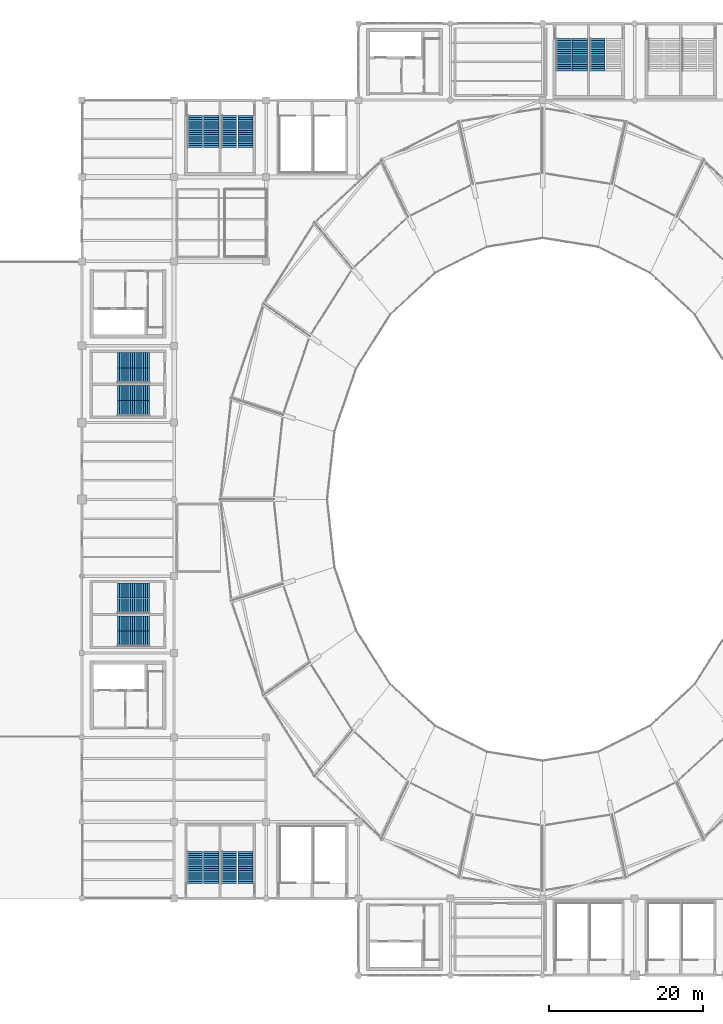
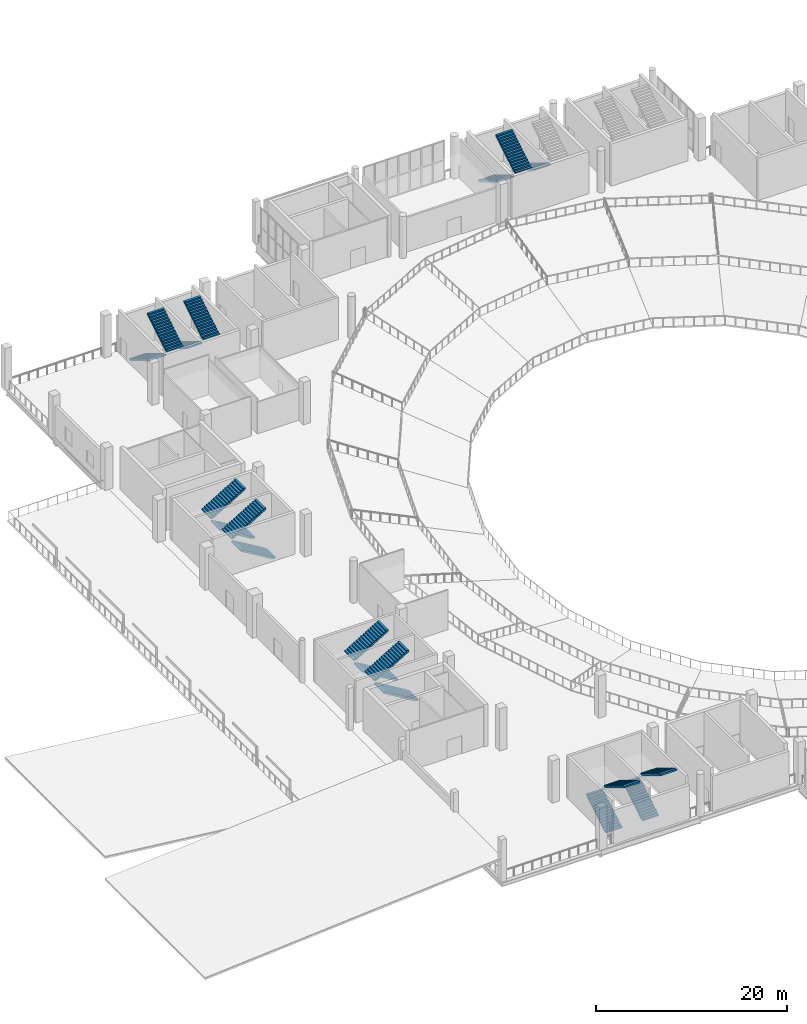
# One storey, part 58 of 74: 19 stair flights, 10 elements without a shape of their own.
"""IFC4 building model written with IfcOpenShell, lengths in metres."""

from ifc_helpers import new_model, si_unit, direction, frame, origin, place, context, subcontext, project, spatial, polyline, outline, extrude, material, layer, layer_set, type_object, element, aggregate, save


model = new_model("IFC4")

# Units and contexts
model_context = context("Model", 3, precision=1e-05, world=origin(), true_north=direction((0.0, 1.0)))
body_context = subcontext(model_context, "Body", "Model", "MODEL_VIEW")
ifc_project = project(units=[si_unit("LENGTHUNIT", "METRE"), si_unit("AREAUNIT", "SQUARE_METRE"), si_unit("VOLUMEUNIT", "CUBIC_METRE"), si_unit("PLANEANGLEUNIT", "RADIAN"), si_unit("MASSUNIT", "GRAM", prefix="KILO")], contexts=[model_context])

# Site, building, storey
site_placement = place(None, origin())
site = spatial("IfcSite", under=ifc_project, at=site_placement, CompositionType="ELEMENT")
building_placement = place(site_placement, origin())
building = spatial("IfcBuilding", under=site, at=building_placement, Name="Brinegate Civic Arena", CompositionType="ELEMENT")
storey_placement = place(building_placement, frame((0.0, 0.0, 19.199951171875)))
storey = spatial("IfcBuildingStorey", under=building, at=storey_placement, Name="L04", CompositionType="ELEMENT", Elevation=19.199951171875)

# Stair, stair flights
ifc_material = material(Name="Concrete C40/50", Category="concrete")
stair_type_1 = type_object("IfcStairType", Name="STAIR-EXIT-3700", PredefinedType="HALF_TURN_STAIR", material=ifc_material)
stair_1_placement = place(storey_placement, origin())
stair_1 = element("IfcStair", 1, at=stair_1_placement, inside=storey, type_object=stair_type_1, Name="Protected Exit Stair ST-01B (L04)", PredefinedType="HALF_TURN_STAIR")
ifc_layer_1 = layer(ifc_material, 0.179931640625, Name="Concrete C40/50")
ifc_layer_set_1 = layer_set([ifc_layer_1], Name="Concrete C40/50")
stair_flight_type_1 = type_object("IfcStairFlightType", Name="FLIGHT-EXIT-3700", PredefinedType="STRAIGHT", material=ifc_layer_set_1)
stair_flight_1_placement = place(storey_placement, frame((67.139892578125, 112.030029296875, 0.0), z_axis=(0.0, 0.0, 1.0), x_axis=(0.0, -1.0, 0.0)))
stair_flight_1 = element("IfcStairFlight", 2, at=stair_flight_1_placement, type_object=stair_flight_type_1, Name="ST-01B flight 1", NumberOfRisers=16, NumberOfTreads=15, PredefinedType="STRAIGHT", RiserHeight=0.16875, TreadLength=0.28, context=body_context, shape_type="SweptSolid", body=[
    extrude(outline(polyline([(0.0, 0.0), (0.0, 0.168701171875), (0.280029296875, 0.168701171875), (0.280029296875, 0.33740234375), (0.56005859375, 0.33740234375), (0.56005859375, 0.50634765625), (0.840087890625, 0.50634765625), (0.840087890625, 0.675048828125), (1.1201171875, 0.675048828125), (1.1201171875, 0.84375), (1.39990234375, 0.84375), (1.39990234375, 1.012451171875), (1.679931640625, 1.012451171875), (1.679931640625, 1.18115234375), (1.9599609375, 1.18115234375), (1.9599609375, 1.35009765625), (2.239990234375, 1.35009765625), (2.239990234375, 1.518798828125), (2.52001953125, 1.518798828125), (2.52001953125, 1.6875), (2.800048828125, 1.6875), (2.800048828125, 1.856201171875), (3.080078125, 1.856201171875), (3.080078125, 2.02490234375), (3.360107421875, 2.02490234375), (3.360107421875, 2.19384765625), (3.639892578125, 2.19384765625), (3.639892578125, 2.362548828125), (3.919921875, 2.362548828125), (3.919921875, 2.53125), (4.199951171875, 2.53125), (4.199951171875, 2.699951171875), (4.199951171875, 2.3212890625), (0.3486328125, 0.0), (0.0, 0.0)])), frame((0.0, 0.97998046875, 0.0), z_axis=(0.0, -1.0, 0.0), x_axis=(1.0, 0.0, 0.0)), (0.0, 0.0, 1.0), 1.9599609375),
])
stair_flight_2_placement = place(storey_placement, frame((69.280029296875, 107.830078125, 2.699951171875), z_axis=(0.0, 0.0, 1.0), x_axis=(0.0, 1.0, 0.0)))
stair_flight_2 = element("IfcStairFlight", 3, at=stair_flight_2_placement, type_object=stair_flight_type_1, Name="ST-01B flight 2", NumberOfRisers=16, NumberOfTreads=15, PredefinedType="STRAIGHT", RiserHeight=0.16875, TreadLength=0.28, context=body_context, shape_type="SweptSolid", body=[
    extrude(outline(polyline([(0.0, 0.0), (0.0, 0.168701171875), (0.280029296875, 0.168701171875), (0.280029296875, 0.33740234375), (0.56005859375, 0.33740234375), (0.56005859375, 0.50634765625), (0.840087890625, 0.50634765625), (0.840087890625, 0.675048828125), (1.1201171875, 0.675048828125), (1.1201171875, 0.84375), (1.39990234375, 0.84375), (1.39990234375, 1.012451171875), (1.679931640625, 1.012451171875), (1.679931640625, 1.18115234375), (1.9599609375, 1.18115234375), (1.9599609375, 1.35009765625), (2.239990234375, 1.35009765625), (2.239990234375, 1.518798828125), (2.52001953125, 1.518798828125), (2.52001953125, 1.6875), (2.800048828125, 1.6875), (2.800048828125, 1.856201171875), (3.080078125, 1.856201171875), (3.080078125, 2.02490234375), (3.360107421875, 2.02490234375), (3.360107421875, 2.19384765625), (3.639892578125, 2.19384765625), (3.639892578125, 2.362548828125), (3.919921875, 2.362548828125), (3.919921875, 2.53125), (4.199951171875, 2.53125), (4.199951171875, 2.699951171875), (4.199951171875, 2.3212890625), (0.3486328125, 0.0), (0.0, 0.0)])), frame((0.0, 0.97998046875, 0.0), z_axis=(0.0, -1.0, 0.0), x_axis=(1.0, 0.0, 0.0)), (0.0, 0.0, 1.0), 1.9599609375),
])
aggregate(stair_1, [stair_flight_1, stair_flight_2])

stair_2_placement = place(storey_placement, origin())
stair_2 = element("IfcStair", 4, at=stair_2_placement, inside=storey, type_object=stair_type_1, Name="Protected Exit Stair ST-02B (L04)", PredefinedType="HALF_TURN_STAIR")
stair_flight_3_placement = place(storey_placement, frame((67.139892578125, 11.969970703125, 0.0), z_axis=(0.0, 0.0, 1.0), x_axis=(0.0, 1.0, 0.0)))
stair_flight_3 = element("IfcStairFlight", 5, at=stair_flight_3_placement, type_object=stair_flight_type_1, Name="ST-02B flight 1", NumberOfRisers=16, NumberOfTreads=15, PredefinedType="STRAIGHT", RiserHeight=0.16875, TreadLength=0.28, context=body_context, shape_type="SweptSolid", body=[
    extrude(outline(polyline([(0.0, 0.0), (0.0, 0.168701171875), (0.280029296875, 0.168701171875), (0.280029296875, 0.33740234375), (0.56005859375, 0.33740234375), (0.56005859375, 0.50634765625), (0.840087890625, 0.50634765625), (0.840087890625, 0.675048828125), (1.1201171875, 0.675048828125), (1.1201171875, 0.84375), (1.39990234375, 0.84375), (1.39990234375, 1.012451171875), (1.679931640625, 1.012451171875), (1.679931640625, 1.18115234375), (1.9599609375, 1.18115234375), (1.9599609375, 1.35009765625), (2.239990234375, 1.35009765625), (2.239990234375, 1.518798828125), (2.52001953125, 1.518798828125), (2.52001953125, 1.6875), (2.800048828125, 1.6875), (2.800048828125, 1.856201171875), (3.080078125, 1.856201171875), (3.080078125, 2.02490234375), (3.360107421875, 2.02490234375), (3.360107421875, 2.19384765625), (3.639892578125, 2.19384765625), (3.639892578125, 2.362548828125), (3.919921875, 2.362548828125), (3.919921875, 2.53125), (4.199951171875, 2.53125), (4.199951171875, 2.699951171875), (4.199951171875, 2.3212890625), (0.3486328125, 0.0), (0.0, 0.0)])), frame((0.0, 0.97998046875, 0.0), z_axis=(0.0, -1.0, 0.0), x_axis=(1.0, 0.0, 0.0)), (0.0, 0.0, 1.0), 1.9599609375),
])
stair_flight_4_placement = place(storey_placement, frame((69.31005859375, 16.169921875, 2.699951171875), z_axis=(0.0, 0.0, 1.0), x_axis=(0.0, -1.0, 0.0)))
stair_flight_4 = element("IfcStairFlight", 6, at=stair_flight_4_placement, type_object=stair_flight_type_1, Name="ST-02B flight 2", NumberOfRisers=16, NumberOfTreads=15, PredefinedType="STRAIGHT", RiserHeight=0.16875, TreadLength=0.28, context=body_context, shape_type="SweptSolid", body=[
    extrude(outline(polyline([(0.0, 0.0), (0.0, 0.168701171875), (0.280029296875, 0.168701171875), (0.280029296875, 0.33740234375), (0.56005859375, 0.33740234375), (0.56005859375, 0.50634765625), (0.840087890625, 0.50634765625), (0.840087890625, 0.675048828125), (1.1201171875, 0.675048828125), (1.1201171875, 0.84375), (1.39990234375, 0.84375), (1.39990234375, 1.012451171875), (1.679931640625, 1.012451171875), (1.679931640625, 1.18115234375), (1.9599609375, 1.18115234375), (1.9599609375, 1.35009765625), (2.239990234375, 1.35009765625), (2.239990234375, 1.518798828125), (2.52001953125, 1.518798828125), (2.52001953125, 1.6875), (2.800048828125, 1.6875), (2.800048828125, 1.856201171875), (3.080078125, 1.856201171875), (3.080078125, 2.02490234375), (3.360107421875, 2.02490234375), (3.360107421875, 2.19384765625), (3.639892578125, 2.19384765625), (3.639892578125, 2.362548828125), (3.919921875, 2.362548828125), (3.919921875, 2.53125), (4.199951171875, 2.53125), (4.199951171875, 2.699951171875), (4.199951171875, 2.3212890625), (0.3486328125, 0.0), (0.0, 0.0)])), frame((0.0, 0.97998046875, 0.0), z_axis=(0.0, -1.0, 0.0), x_axis=(1.0, 0.0, 0.0)), (0.0, 0.0, 1.0), 1.9599609375),
])
aggregate(stair_2, [stair_flight_3, stair_flight_4])

stair_3_placement = place(storey_placement, origin())
stair_3 = element("IfcStair", 7, at=stair_3_placement, inside=storey, type_object=stair_type_1, Name="Protected Exit Stair ST-07B (L04)", PredefinedType="HALF_TURN_STAIR")
stair_flight_5_placement = place(storey_placement, frame((56.830078125, 78.139892578125, 0.0), z_axis=(0.0, 0.0, 1.0), x_axis=(-1.0, 0.0, 0.0)))
stair_flight_5 = element("IfcStairFlight", 8, at=stair_flight_5_placement, type_object=stair_flight_type_1, Name="ST-07B flight 1", NumberOfRisers=16, NumberOfTreads=15, PredefinedType="STRAIGHT", RiserHeight=0.16875, TreadLength=0.28, context=body_context, shape_type="SweptSolid", body=[
    extrude(outline(polyline([(0.0, 0.0), (0.0, 0.168701171875), (0.280029296875, 0.168701171875), (0.280029296875, 0.33740234375), (0.56005859375, 0.33740234375), (0.56005859375, 0.50634765625), (0.840087890625, 0.50634765625), (0.840087890625, 0.675048828125), (1.1201171875, 0.675048828125), (1.1201171875, 0.84375), (1.39990234375, 0.84375), (1.39990234375, 1.012451171875), (1.679931640625, 1.012451171875), (1.679931640625, 1.18115234375), (1.9599609375, 1.18115234375), (1.9599609375, 1.35009765625), (2.239990234375, 1.35009765625), (2.239990234375, 1.518798828125), (2.52001953125, 1.518798828125), (2.52001953125, 1.6875), (2.800048828125, 1.6875), (2.800048828125, 1.856201171875), (3.080078125, 1.856201171875), (3.080078125, 2.02490234375), (3.360107421875, 2.02490234375), (3.360107421875, 2.19384765625), (3.639892578125, 2.19384765625), (3.639892578125, 2.362548828125), (3.919921875, 2.362548828125), (3.919921875, 2.53125), (4.199951171875, 2.53125), (4.199951171875, 2.699951171875), (4.199951171875, 2.3212890625), (0.3486328125, 0.0), (0.0, 0.0)])), frame((0.0, 0.97998046875, 0.0), z_axis=(0.0, -1.0, 0.0), x_axis=(1.0, 0.0, 0.0)), (0.0, 0.0, 1.0), 1.9599609375),
])
stair_flight_6_placement = place(storey_placement, frame((52.6298828125, 80.1298828125, 2.699951171875), z_axis=(0.0, 0.0, 1.0), x_axis=(1.0, 0.0, 0.0)))
stair_flight_6 = element("IfcStairFlight", 9, at=stair_flight_6_placement, type_object=stair_flight_type_1, Name="ST-07B flight 2", NumberOfRisers=16, NumberOfTreads=15, PredefinedType="STRAIGHT", RiserHeight=0.16875, TreadLength=0.28, context=body_context, shape_type="SweptSolid", body=[
    extrude(outline(polyline([(0.0, 0.0), (0.0, 0.168701171875), (0.280029296875, 0.168701171875), (0.280029296875, 0.33740234375), (0.56005859375, 0.33740234375), (0.56005859375, 0.50634765625), (0.840087890625, 0.50634765625), (0.840087890625, 0.675048828125), (1.1201171875, 0.675048828125), (1.1201171875, 0.84375), (1.39990234375, 0.84375), (1.39990234375, 1.012451171875), (1.679931640625, 1.012451171875), (1.679931640625, 1.18115234375), (1.9599609375, 1.18115234375), (1.9599609375, 1.35009765625), (2.239990234375, 1.35009765625), (2.239990234375, 1.518798828125), (2.52001953125, 1.518798828125), (2.52001953125, 1.6875), (2.800048828125, 1.6875), (2.800048828125, 1.856201171875), (3.080078125, 1.856201171875), (3.080078125, 2.02490234375), (3.360107421875, 2.02490234375), (3.360107421875, 2.19384765625), (3.639892578125, 2.19384765625), (3.639892578125, 2.362548828125), (3.919921875, 2.362548828125), (3.919921875, 2.53125), (4.199951171875, 2.53125), (4.199951171875, 2.699951171875), (4.199951171875, 2.3212890625), (0.3486328125, 0.0), (0.0, 0.0)])), frame((0.0, 0.97998046875, 0.0), z_axis=(0.0, -1.0, 0.0), x_axis=(1.0, 0.0, 0.0)), (0.0, 0.0, 1.0), 1.9599609375),
])
aggregate(stair_3, [stair_flight_5, stair_flight_6])

stair_4_placement = place(storey_placement, origin())
stair_4 = element("IfcStair", 10, at=stair_4_placement, inside=storey, type_object=stair_type_1, Name="Protected Exit Stair ST-08B (L04)", PredefinedType="HALF_TURN_STAIR")
stair_flight_7_placement = place(storey_placement, frame((56.830078125, 48.139892578125, 0.0), z_axis=(0.0, 0.0, 1.0), x_axis=(-1.0, 0.0, 0.0)))
stair_flight_7 = element("IfcStairFlight", 11, at=stair_flight_7_placement, type_object=stair_flight_type_1, Name="ST-08B flight 1", NumberOfRisers=16, NumberOfTreads=15, PredefinedType="STRAIGHT", RiserHeight=0.16875, TreadLength=0.28, context=body_context, shape_type="SweptSolid", body=[
    extrude(outline(polyline([(0.0, 0.0), (0.0, 0.168701171875), (0.280029296875, 0.168701171875), (0.280029296875, 0.33740234375), (0.56005859375, 0.33740234375), (0.56005859375, 0.50634765625), (0.840087890625, 0.50634765625), (0.840087890625, 0.675048828125), (1.1201171875, 0.675048828125), (1.1201171875, 0.84375), (1.39990234375, 0.84375), (1.39990234375, 1.012451171875), (1.679931640625, 1.012451171875), (1.679931640625, 1.18115234375), (1.9599609375, 1.18115234375), (1.9599609375, 1.35009765625), (2.239990234375, 1.35009765625), (2.239990234375, 1.518798828125), (2.52001953125, 1.518798828125), (2.52001953125, 1.6875), (2.800048828125, 1.6875), (2.800048828125, 1.856201171875), (3.080078125, 1.856201171875), (3.080078125, 2.02490234375), (3.360107421875, 2.02490234375), (3.360107421875, 2.19384765625), (3.639892578125, 2.19384765625), (3.639892578125, 2.362548828125), (3.919921875, 2.362548828125), (3.919921875, 2.53125), (4.199951171875, 2.53125), (4.199951171875, 2.699951171875), (4.199951171875, 2.3212890625), (0.3486328125, 0.0), (0.0, 0.0)])), frame((0.0, 0.97998046875, 0.0), z_axis=(0.0, -1.0, 0.0), x_axis=(1.0, 0.0, 0.0)), (0.0, 0.0, 1.0), 1.9599609375),
])
stair_flight_8_placement = place(storey_placement, frame((52.6298828125, 50.159912109375, 2.699951171875), z_axis=(0.0, 0.0, 1.0), x_axis=(1.0, 0.0, 0.0)))
stair_flight_8 = element("IfcStairFlight", 12, at=stair_flight_8_placement, type_object=stair_flight_type_1, Name="ST-08B flight 2", NumberOfRisers=16, NumberOfTreads=15, PredefinedType="STRAIGHT", RiserHeight=0.16875, TreadLength=0.28, context=body_context, shape_type="SweptSolid", body=[
    extrude(outline(polyline([(0.0, 0.0), (0.0, 0.168701171875), (0.280029296875, 0.168701171875), (0.280029296875, 0.33740234375), (0.56005859375, 0.33740234375), (0.56005859375, 0.50634765625), (0.840087890625, 0.50634765625), (0.840087890625, 0.675048828125), (1.1201171875, 0.675048828125), (1.1201171875, 0.84375), (1.39990234375, 0.84375), (1.39990234375, 1.012451171875), (1.679931640625, 1.012451171875), (1.679931640625, 1.18115234375), (1.9599609375, 1.18115234375), (1.9599609375, 1.35009765625), (2.239990234375, 1.35009765625), (2.239990234375, 1.518798828125), (2.52001953125, 1.518798828125), (2.52001953125, 1.6875), (2.800048828125, 1.6875), (2.800048828125, 1.856201171875), (3.080078125, 1.856201171875), (3.080078125, 2.02490234375), (3.360107421875, 2.02490234375), (3.360107421875, 2.19384765625), (3.639892578125, 2.19384765625), (3.639892578125, 2.362548828125), (3.919921875, 2.362548828125), (3.919921875, 2.53125), (4.199951171875, 2.53125), (4.199951171875, 2.699951171875), (4.199951171875, 2.3212890625), (0.3486328125, 0.0), (0.0, 0.0)])), frame((0.0, 0.97998046875, 0.0), z_axis=(0.0, -1.0, 0.0), x_axis=(1.0, 0.0, 0.0)), (0.0, 0.0, 1.0), 1.9599609375),
])
aggregate(stair_4, [stair_flight_7, stair_flight_8])

# Stair, stair flight
stair_5_placement = place(storey_placement, origin())
stair_5 = element("IfcStair", 13, at=stair_5_placement, inside=storey, type_object=stair_type_1, Name="Protected Exit Stair ST-15B (L04)", PredefinedType="HALF_TURN_STAIR")
stair_flight_9_placement = place(storey_placement, frame((115.139892578125, 122.030029296875, 0.0), z_axis=(0.0, 0.0, 1.0), x_axis=(0.0, -1.0, 0.0)))
stair_flight_9 = element("IfcStairFlight", 14, at=stair_flight_9_placement, type_object=stair_flight_type_1, Name="ST-15B flight 1", NumberOfRisers=16, NumberOfTreads=15, PredefinedType="STRAIGHT", RiserHeight=0.16875, TreadLength=0.28, context=body_context, shape_type="SweptSolid", body=[
    extrude(outline(polyline([(0.0, 0.0), (0.0, 0.168701171875), (0.280029296875, 0.168701171875), (0.280029296875, 0.33740234375), (0.56005859375, 0.33740234375), (0.56005859375, 0.50634765625), (0.840087890625, 0.50634765625), (0.840087890625, 0.675048828125), (1.1201171875, 0.675048828125), (1.1201171875, 0.84375), (1.39990234375, 0.84375), (1.39990234375, 1.012451171875), (1.679931640625, 1.012451171875), (1.679931640625, 1.18115234375), (1.9599609375, 1.18115234375), (1.9599609375, 1.35009765625), (2.239990234375, 1.35009765625), (2.239990234375, 1.518798828125), (2.52001953125, 1.518798828125), (2.52001953125, 1.6875), (2.800048828125, 1.6875), (2.800048828125, 1.856201171875), (3.080078125, 1.856201171875), (3.080078125, 2.02490234375), (3.360107421875, 2.02490234375), (3.360107421875, 2.19384765625), (3.639892578125, 2.19384765625), (3.639892578125, 2.362548828125), (3.919921875, 2.362548828125), (3.919921875, 2.53125), (4.199951171875, 2.53125), (4.199951171875, 2.699951171875), (4.199951171875, 2.3212890625), (0.3486328125, 0.0), (0.0, 0.0)])), frame((0.0, 0.97998046875, 0.0), z_axis=(0.0, -1.0, 0.0), x_axis=(1.0, 0.0, 0.0)), (0.0, 0.0, 1.0), 1.9599609375),
])
aggregate(stair_5, [stair_flight_9])

# Stair, stair flights
stair_type_2 = type_object("IfcStairType", Name="STAIR-EXIT-3850", PredefinedType="HALF_TURN_STAIR", material=ifc_material)
stair_6_placement = place(storey_placement, origin())
stair_6 = element("IfcStair", 15, at=stair_6_placement, inside=storey, type_object=stair_type_2, Name="Protected Exit Stair ST-01A (L04)", PredefinedType="HALF_TURN_STAIR")
ifc_layer_2 = layer(ifc_material, 0.179931640625, Name="Concrete C40/50")
ifc_layer_set_2 = layer_set([ifc_layer_2], Name="Concrete C40/50")
stair_flight_type_2 = type_object("IfcStairFlightType", Name="FLIGHT-EXIT-3850", PredefinedType="STRAIGHT", material=ifc_layer_set_2)
stair_flight_10_placement = place(storey_placement, frame((62.72998046875, 112.030029296875, 0.0), z_axis=(0.0, 0.0, 1.0), x_axis=(0.0, -1.0, 0.0)))
stair_flight_10 = element("IfcStairFlight", 16, at=stair_flight_10_placement, type_object=stair_flight_type_2, Name="ST-01A flight 1", NumberOfRisers=16, NumberOfTreads=15, PredefinedType="STRAIGHT", RiserHeight=0.16875, TreadLength=0.28, context=body_context, shape_type="SweptSolid", body=[
    extrude(outline(polyline([(0.0, 0.0), (0.0, 0.168701171875), (0.280029296875, 0.168701171875), (0.280029296875, 0.33740234375), (0.56005859375, 0.33740234375), (0.56005859375, 0.50634765625), (0.840087890625, 0.50634765625), (0.840087890625, 0.675048828125), (1.1201171875, 0.675048828125), (1.1201171875, 0.84375), (1.39990234375, 0.84375), (1.39990234375, 1.012451171875), (1.679931640625, 1.012451171875), (1.679931640625, 1.18115234375), (1.9599609375, 1.18115234375), (1.9599609375, 1.35009765625), (2.239990234375, 1.35009765625), (2.239990234375, 1.518798828125), (2.52001953125, 1.518798828125), (2.52001953125, 1.6875), (2.800048828125, 1.6875), (2.800048828125, 1.856201171875), (3.080078125, 1.856201171875), (3.080078125, 2.02490234375), (3.360107421875, 2.02490234375), (3.360107421875, 2.19384765625), (3.639892578125, 2.19384765625), (3.639892578125, 2.362548828125), (3.919921875, 2.362548828125), (3.919921875, 2.53125), (4.199951171875, 2.53125), (4.199951171875, 2.699951171875), (4.199951171875, 2.3212890625), (0.3486328125, 0.0), (0.0, 0.0)])), frame((0.0, 0.989990234375, 0.0), z_axis=(0.0, -1.0, 0.0), x_axis=(1.0, 0.0, 0.0)), (0.0, 0.0, 1.0), 1.97998046875),
])
stair_flight_11_placement = place(storey_placement, frame((64.85009765625, 107.830078125, 2.699951171875), z_axis=(0.0, 0.0, 1.0), x_axis=(0.0, 1.0, 0.0)))
stair_flight_11 = element("IfcStairFlight", 17, at=stair_flight_11_placement, type_object=stair_flight_type_2, Name="ST-01A flight 2", NumberOfRisers=16, NumberOfTreads=15, PredefinedType="STRAIGHT", RiserHeight=0.16875, TreadLength=0.28, context=body_context, shape_type="SweptSolid", body=[
    extrude(outline(polyline([(0.0, 0.0), (0.0, 0.168701171875), (0.280029296875, 0.168701171875), (0.280029296875, 0.33740234375), (0.56005859375, 0.33740234375), (0.56005859375, 0.50634765625), (0.840087890625, 0.50634765625), (0.840087890625, 0.675048828125), (1.1201171875, 0.675048828125), (1.1201171875, 0.84375), (1.39990234375, 0.84375), (1.39990234375, 1.012451171875), (1.679931640625, 1.012451171875), (1.679931640625, 1.18115234375), (1.9599609375, 1.18115234375), (1.9599609375, 1.35009765625), (2.239990234375, 1.35009765625), (2.239990234375, 1.518798828125), (2.52001953125, 1.518798828125), (2.52001953125, 1.6875), (2.800048828125, 1.6875), (2.800048828125, 1.856201171875), (3.080078125, 1.856201171875), (3.080078125, 2.02490234375), (3.360107421875, 2.02490234375), (3.360107421875, 2.19384765625), (3.639892578125, 2.19384765625), (3.639892578125, 2.362548828125), (3.919921875, 2.362548828125), (3.919921875, 2.53125), (4.199951171875, 2.53125), (4.199951171875, 2.699951171875), (4.199951171875, 2.3212890625), (0.3486328125, 0.0), (0.0, 0.0)])), frame((0.0, 0.989990234375, 0.0), z_axis=(0.0, -1.0, 0.0), x_axis=(1.0, 0.0, 0.0)), (0.0, 0.0, 1.0), 1.97998046875),
])
aggregate(stair_6, [stair_flight_10, stair_flight_11])

stair_7_placement = place(storey_placement, origin())
stair_7 = element("IfcStair", 18, at=stair_7_placement, inside=storey, type_object=stair_type_2, Name="Protected Exit Stair ST-02A (L04)", PredefinedType="HALF_TURN_STAIR")
stair_flight_12_placement = place(storey_placement, frame((62.699951171875, 11.969970703125, 0.0), z_axis=(0.0, 0.0, 1.0), x_axis=(0.0, 1.0, 0.0)))
stair_flight_12 = element("IfcStairFlight", 19, at=stair_flight_12_placement, type_object=stair_flight_type_2, Name="ST-02A flight 1", NumberOfRisers=16, NumberOfTreads=15, PredefinedType="STRAIGHT", RiserHeight=0.16875, TreadLength=0.28, context=body_context, shape_type="SweptSolid", body=[
    extrude(outline(polyline([(0.0, 0.0), (0.0, 0.168701171875), (0.280029296875, 0.168701171875), (0.280029296875, 0.33740234375), (0.56005859375, 0.33740234375), (0.56005859375, 0.50634765625), (0.840087890625, 0.50634765625), (0.840087890625, 0.675048828125), (1.1201171875, 0.675048828125), (1.1201171875, 0.84375), (1.39990234375, 0.84375), (1.39990234375, 1.012451171875), (1.679931640625, 1.012451171875), (1.679931640625, 1.18115234375), (1.9599609375, 1.18115234375), (1.9599609375, 1.35009765625), (2.239990234375, 1.35009765625), (2.239990234375, 1.518798828125), (2.52001953125, 1.518798828125), (2.52001953125, 1.6875), (2.800048828125, 1.6875), (2.800048828125, 1.856201171875), (3.080078125, 1.856201171875), (3.080078125, 2.02490234375), (3.360107421875, 2.02490234375), (3.360107421875, 2.19384765625), (3.639892578125, 2.19384765625), (3.639892578125, 2.362548828125), (3.919921875, 2.362548828125), (3.919921875, 2.53125), (4.199951171875, 2.53125), (4.199951171875, 2.699951171875), (4.199951171875, 2.3212890625), (0.3486328125, 0.0), (0.0, 0.0)])), frame((0.0, 0.989990234375, 0.0), z_axis=(0.0, -1.0, 0.0), x_axis=(1.0, 0.0, 0.0)), (0.0, 0.0, 1.0), 1.97998046875),
])
stair_flight_13_placement = place(storey_placement, frame((64.85009765625, 16.169921875, 2.699951171875), z_axis=(0.0, 0.0, 1.0), x_axis=(0.0, -1.0, 0.0)))
stair_flight_13 = element("IfcStairFlight", 20, at=stair_flight_13_placement, type_object=stair_flight_type_2, Name="ST-02A flight 2", NumberOfRisers=16, NumberOfTreads=15, PredefinedType="STRAIGHT", RiserHeight=0.16875, TreadLength=0.28, context=body_context, shape_type="SweptSolid", body=[
    extrude(outline(polyline([(0.0, 0.0), (0.0, 0.168701171875), (0.280029296875, 0.168701171875), (0.280029296875, 0.33740234375), (0.56005859375, 0.33740234375), (0.56005859375, 0.50634765625), (0.840087890625, 0.50634765625), (0.840087890625, 0.675048828125), (1.1201171875, 0.675048828125), (1.1201171875, 0.84375), (1.39990234375, 0.84375), (1.39990234375, 1.012451171875), (1.679931640625, 1.012451171875), (1.679931640625, 1.18115234375), (1.9599609375, 1.18115234375), (1.9599609375, 1.35009765625), (2.239990234375, 1.35009765625), (2.239990234375, 1.518798828125), (2.52001953125, 1.518798828125), (2.52001953125, 1.6875), (2.800048828125, 1.6875), (2.800048828125, 1.856201171875), (3.080078125, 1.856201171875), (3.080078125, 2.02490234375), (3.360107421875, 2.02490234375), (3.360107421875, 2.19384765625), (3.639892578125, 2.19384765625), (3.639892578125, 2.362548828125), (3.919921875, 2.362548828125), (3.919921875, 2.53125), (4.199951171875, 2.53125), (4.199951171875, 2.699951171875), (4.199951171875, 2.3212890625), (0.3486328125, 0.0), (0.0, 0.0)])), frame((0.0, 0.989990234375, 0.0), z_axis=(0.0, -1.0, 0.0), x_axis=(1.0, 0.0, 0.0)), (0.0, 0.0, 1.0), 1.97998046875),
])
aggregate(stair_7, [stair_flight_12, stair_flight_13])

stair_8_placement = place(storey_placement, origin())
stair_8 = element("IfcStair", 21, at=stair_8_placement, inside=storey, type_object=stair_type_2, Name="Protected Exit Stair ST-07A (L04)", PredefinedType="HALF_TURN_STAIR")
stair_flight_14_placement = place(storey_placement, frame((56.830078125, 73.8779296875, 0.0), z_axis=(0.0, 0.0, 1.0), x_axis=(-1.0, 0.0, 0.0)))
stair_flight_14 = element("IfcStairFlight", 22, at=stair_flight_14_placement, type_object=stair_flight_type_2, Name="ST-07A flight 1", NumberOfRisers=16, NumberOfTreads=15, PredefinedType="STRAIGHT", RiserHeight=0.16875, TreadLength=0.28, context=body_context, shape_type="SweptSolid", body=[
    extrude(outline(polyline([(0.0, 0.0), (0.0, 0.168701171875), (0.280029296875, 0.168701171875), (0.280029296875, 0.33740234375), (0.56005859375, 0.33740234375), (0.56005859375, 0.50634765625), (0.840087890625, 0.50634765625), (0.840087890625, 0.675048828125), (1.1201171875, 0.675048828125), (1.1201171875, 0.84375), (1.39990234375, 0.84375), (1.39990234375, 1.012451171875), (1.679931640625, 1.012451171875), (1.679931640625, 1.18115234375), (1.9599609375, 1.18115234375), (1.9599609375, 1.35009765625), (2.239990234375, 1.35009765625), (2.239990234375, 1.518798828125), (2.52001953125, 1.518798828125), (2.52001953125, 1.6875), (2.800048828125, 1.6875), (2.800048828125, 1.856201171875), (3.080078125, 1.856201171875), (3.080078125, 2.02490234375), (3.360107421875, 2.02490234375), (3.360107421875, 2.19384765625), (3.639892578125, 2.19384765625), (3.639892578125, 2.362548828125), (3.919921875, 2.362548828125), (3.919921875, 2.53125), (4.199951171875, 2.53125), (4.199951171875, 2.699951171875), (4.199951171875, 2.3212890625), (0.3486328125, 0.0), (0.0, 0.0)])), frame((0.0, 0.987548828125, 0.0), z_axis=(0.0, -1.0, 0.0), x_axis=(1.0, 0.0, 0.0)), (0.0, 0.0, 1.0), 1.97509765625),
])
stair_flight_15_placement = place(storey_placement, frame((52.6298828125, 75.85302734375, 2.699951171875), z_axis=(0.0, 0.0, 1.0), x_axis=(1.0, 0.0, 0.0)))
stair_flight_15 = element("IfcStairFlight", 23, at=stair_flight_15_placement, type_object=stair_flight_type_2, Name="ST-07A flight 2", NumberOfRisers=16, NumberOfTreads=15, PredefinedType="STRAIGHT", RiserHeight=0.16875, TreadLength=0.28, context=body_context, shape_type="SweptSolid", body=[
    extrude(outline(polyline([(0.0, 0.0), (0.0, 0.168701171875), (0.280029296875, 0.168701171875), (0.280029296875, 0.33740234375), (0.56005859375, 0.33740234375), (0.56005859375, 0.50634765625), (0.840087890625, 0.50634765625), (0.840087890625, 0.675048828125), (1.1201171875, 0.675048828125), (1.1201171875, 0.84375), (1.39990234375, 0.84375), (1.39990234375, 1.012451171875), (1.679931640625, 1.012451171875), (1.679931640625, 1.18115234375), (1.9599609375, 1.18115234375), (1.9599609375, 1.35009765625), (2.239990234375, 1.35009765625), (2.239990234375, 1.518798828125), (2.52001953125, 1.518798828125), (2.52001953125, 1.6875), (2.800048828125, 1.6875), (2.800048828125, 1.856201171875), (3.080078125, 1.856201171875), (3.080078125, 2.02490234375), (3.360107421875, 2.02490234375), (3.360107421875, 2.19384765625), (3.639892578125, 2.19384765625), (3.639892578125, 2.362548828125), (3.919921875, 2.362548828125), (3.919921875, 2.53125), (4.199951171875, 2.53125), (4.199951171875, 2.699951171875), (4.199951171875, 2.3212890625), (0.3486328125, 0.0), (0.0, 0.0)])), frame((0.0, 0.987548828125, 0.0), z_axis=(0.0, -1.0, 0.0), x_axis=(1.0, 0.0, 0.0)), (0.0, 0.0, 1.0), 1.97509765625),
])
aggregate(stair_8, [stair_flight_14, stair_flight_15])

stair_9_placement = place(storey_placement, origin())
stair_9 = element("IfcStair", 24, at=stair_9_placement, inside=storey, type_object=stair_type_2, Name="Protected Exit Stair ST-08A (L04)", PredefinedType="HALF_TURN_STAIR")
stair_flight_16_placement = place(storey_placement, frame((56.830078125, 43.85009765625, 0.0), z_axis=(0.0, 0.0, 1.0), x_axis=(-1.0, 0.0, 0.0)))
stair_flight_16 = element("IfcStairFlight", 25, at=stair_flight_16_placement, type_object=stair_flight_type_2, Name="ST-08A flight 1", NumberOfRisers=16, NumberOfTreads=15, PredefinedType="STRAIGHT", RiserHeight=0.16875, TreadLength=0.28, context=body_context, shape_type="SweptSolid", body=[
    extrude(outline(polyline([(0.0, 0.0), (0.0, 0.168701171875), (0.280029296875, 0.168701171875), (0.280029296875, 0.33740234375), (0.56005859375, 0.33740234375), (0.56005859375, 0.50634765625), (0.840087890625, 0.50634765625), (0.840087890625, 0.675048828125), (1.1201171875, 0.675048828125), (1.1201171875, 0.84375), (1.39990234375, 0.84375), (1.39990234375, 1.012451171875), (1.679931640625, 1.012451171875), (1.679931640625, 1.18115234375), (1.9599609375, 1.18115234375), (1.9599609375, 1.35009765625), (2.239990234375, 1.35009765625), (2.239990234375, 1.518798828125), (2.52001953125, 1.518798828125), (2.52001953125, 1.6875), (2.800048828125, 1.6875), (2.800048828125, 1.856201171875), (3.080078125, 1.856201171875), (3.080078125, 2.02490234375), (3.360107421875, 2.02490234375), (3.360107421875, 2.19384765625), (3.639892578125, 2.19384765625), (3.639892578125, 2.362548828125), (3.919921875, 2.362548828125), (3.919921875, 2.53125), (4.199951171875, 2.53125), (4.199951171875, 2.699951171875), (4.199951171875, 2.3212890625), (0.3486328125, 0.0), (0.0, 0.0)])), frame((0.0, 0.989990234375, 0.0), z_axis=(0.0, -1.0, 0.0), x_axis=(1.0, 0.0, 0.0)), (0.0, 0.0, 1.0), 1.97998046875),
])
stair_flight_17_placement = place(storey_placement, frame((52.6298828125, 45.85009765625, 2.699951171875), z_axis=(0.0, 0.0, 1.0), x_axis=(1.0, 0.0, 0.0)))
stair_flight_17 = element("IfcStairFlight", 26, at=stair_flight_17_placement, type_object=stair_flight_type_2, Name="ST-08A flight 2", NumberOfRisers=16, NumberOfTreads=15, PredefinedType="STRAIGHT", RiserHeight=0.16875, TreadLength=0.28, context=body_context, shape_type="SweptSolid", body=[
    extrude(outline(polyline([(0.0, 0.0), (0.0, 0.168701171875), (0.280029296875, 0.168701171875), (0.280029296875, 0.33740234375), (0.56005859375, 0.33740234375), (0.56005859375, 0.50634765625), (0.840087890625, 0.50634765625), (0.840087890625, 0.675048828125), (1.1201171875, 0.675048828125), (1.1201171875, 0.84375), (1.39990234375, 0.84375), (1.39990234375, 1.012451171875), (1.679931640625, 1.012451171875), (1.679931640625, 1.18115234375), (1.9599609375, 1.18115234375), (1.9599609375, 1.35009765625), (2.239990234375, 1.35009765625), (2.239990234375, 1.518798828125), (2.52001953125, 1.518798828125), (2.52001953125, 1.6875), (2.800048828125, 1.6875), (2.800048828125, 1.856201171875), (3.080078125, 1.856201171875), (3.080078125, 2.02490234375), (3.360107421875, 2.02490234375), (3.360107421875, 2.19384765625), (3.639892578125, 2.19384765625), (3.639892578125, 2.362548828125), (3.919921875, 2.362548828125), (3.919921875, 2.53125), (4.199951171875, 2.53125), (4.199951171875, 2.699951171875), (4.199951171875, 2.3212890625), (0.3486328125, 0.0), (0.0, 0.0)])), frame((0.0, 0.989990234375, 0.0), z_axis=(0.0, -1.0, 0.0), x_axis=(1.0, 0.0, 0.0)), (0.0, 0.0, 1.0), 1.97998046875),
])
aggregate(stair_9, [stair_flight_16, stair_flight_17])

stair_10_placement = place(storey_placement, origin())
stair_10 = element("IfcStair", 27, at=stair_10_placement, inside=storey, type_object=stair_type_2, Name="Protected Exit Stair ST-15A (L04)", PredefinedType="HALF_TURN_STAIR")
stair_flight_18_placement = place(storey_placement, frame((110.75, 122.030029296875, 0.0), z_axis=(0.0, 0.0, 1.0), x_axis=(0.0, -1.0, 0.0)))
stair_flight_18 = element("IfcStairFlight", 28, at=stair_flight_18_placement, type_object=stair_flight_type_2, Name="ST-15A flight 1", NumberOfRisers=16, NumberOfTreads=15, PredefinedType="STRAIGHT", RiserHeight=0.16875, TreadLength=0.28, context=body_context, shape_type="SweptSolid", body=[
    extrude(outline(polyline([(0.0, 0.0), (0.0, 0.168701171875), (0.280029296875, 0.168701171875), (0.280029296875, 0.33740234375), (0.56005859375, 0.33740234375), (0.56005859375, 0.50634765625), (0.840087890625, 0.50634765625), (0.840087890625, 0.675048828125), (1.1201171875, 0.675048828125), (1.1201171875, 0.84375), (1.39990234375, 0.84375), (1.39990234375, 1.012451171875), (1.679931640625, 1.012451171875), (1.679931640625, 1.18115234375), (1.9599609375, 1.18115234375), (1.9599609375, 1.35009765625), (2.239990234375, 1.35009765625), (2.239990234375, 1.518798828125), (2.52001953125, 1.518798828125), (2.52001953125, 1.6875), (2.800048828125, 1.6875), (2.800048828125, 1.856201171875), (3.080078125, 1.856201171875), (3.080078125, 2.02490234375), (3.360107421875, 2.02490234375), (3.360107421875, 2.19384765625), (3.639892578125, 2.19384765625), (3.639892578125, 2.362548828125), (3.919921875, 2.362548828125), (3.919921875, 2.53125), (4.199951171875, 2.53125), (4.199951171875, 2.699951171875), (4.199951171875, 2.3212890625), (0.3486328125, 0.0), (0.0, 0.0)])), frame((0.0, 0.989990234375, 0.0), z_axis=(0.0, -1.0, 0.0), x_axis=(1.0, 0.0, 0.0)), (0.0, 0.0, 1.0), 1.97998046875),
])
stair_flight_19_placement = place(storey_placement, frame((112.85009765625, 117.830078125, 2.699951171875), z_axis=(0.0, 0.0, 1.0), x_axis=(0.0, 1.0, 0.0)))
stair_flight_19 = element("IfcStairFlight", 29, at=stair_flight_19_placement, type_object=stair_flight_type_2, Name="ST-15A flight 2", NumberOfRisers=16, NumberOfTreads=15, PredefinedType="STRAIGHT", RiserHeight=0.16875, TreadLength=0.28, context=body_context, shape_type="SweptSolid", body=[
    extrude(outline(polyline([(0.0, 0.0), (0.0, 0.168701171875), (0.280029296875, 0.168701171875), (0.280029296875, 0.33740234375), (0.56005859375, 0.33740234375), (0.56005859375, 0.50634765625), (0.840087890625, 0.50634765625), (0.840087890625, 0.675048828125), (1.1201171875, 0.675048828125), (1.1201171875, 0.84375), (1.39990234375, 0.84375), (1.39990234375, 1.012451171875), (1.679931640625, 1.012451171875), (1.679931640625, 1.18115234375), (1.9599609375, 1.18115234375), (1.9599609375, 1.35009765625), (2.239990234375, 1.35009765625), (2.239990234375, 1.518798828125), (2.52001953125, 1.518798828125), (2.52001953125, 1.6875), (2.800048828125, 1.6875), (2.800048828125, 1.856201171875), (3.080078125, 1.856201171875), (3.080078125, 2.02490234375), (3.360107421875, 2.02490234375), (3.360107421875, 2.19384765625), (3.639892578125, 2.19384765625), (3.639892578125, 2.362548828125), (3.919921875, 2.362548828125), (3.919921875, 2.53125), (4.199951171875, 2.53125), (4.199951171875, 2.699951171875), (4.199951171875, 2.3212890625), (0.3486328125, 0.0), (0.0, 0.0)])), frame((0.0, 0.989990234375, 0.0), z_axis=(0.0, -1.0, 0.0), x_axis=(1.0, 0.0, 0.0)), (0.0, 0.0, 1.0), 1.97998046875),
])
aggregate(stair_10, [stair_flight_18, stair_flight_19])

save(model, "model.ifc")
